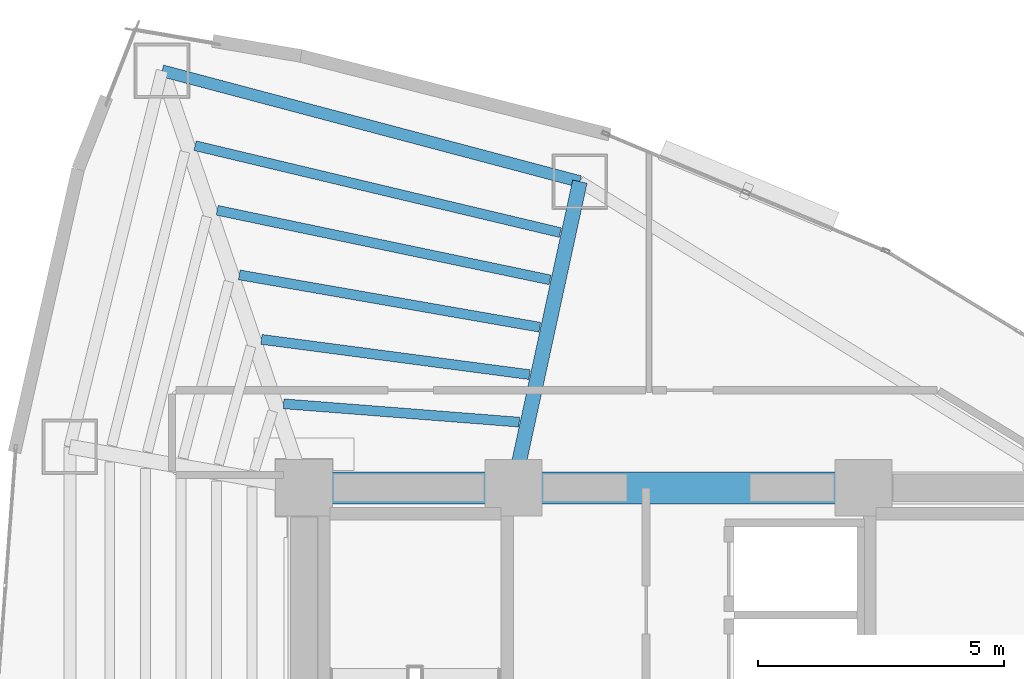
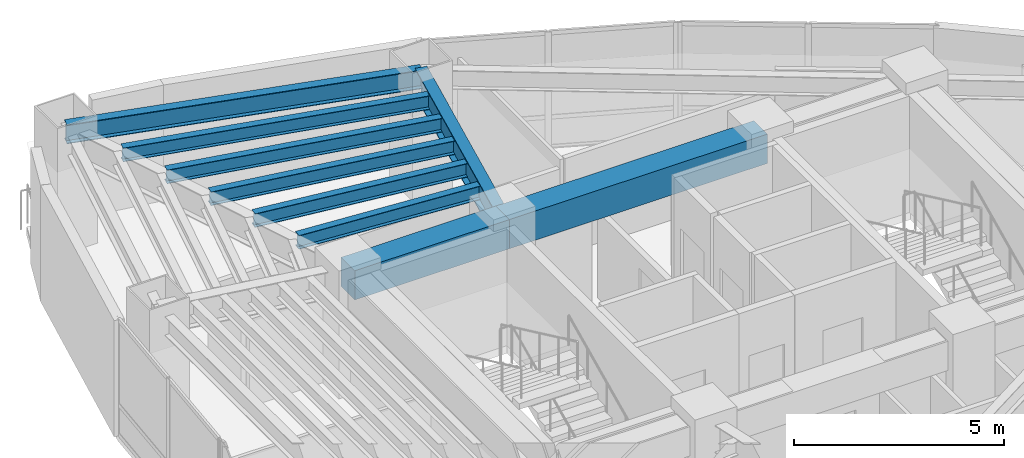
# One storey, part 8 of 15: 9 beams.
"""IFC4 building model written with IfcOpenShell, lengths in metres."""

import ifcopenshell
import ifcopenshell.guid

model = None  # the IFC model being written
_history = None  # IfcOwnerHistory: only IFC2X3 demands one
_inside = {}  # id of a spatial element -> (the spatial element, [elements in it])
_under = {}  # id of a project, library or spatial element -> (it, [spatial elements below it])
_declared = {}  # id of a project -> (the project, [libraries it declares])
_typed = {}  # id of a type object -> (the type object, [elements of that type])
_made_of = {}  # id of a material, layer set ... -> (it, [elements and type objects made of it])


def new_model(schema):
    """Start an empty IFC model of exactly this schema.

    Asked for "IFC4X3", IfcOpenShell would pick the latest addendum, in which some entities
    have other attributes; the version numbers below select the first issue.
    IFC2X3 requires an IfcOwnerHistory on every rooted entity: one is made here for all.
    """
    global model, _history
    if schema == "IFC4X3":
        model = ifcopenshell.file(schema_version=(4, 3, 0, 0))
    else:
        model = ifcopenshell.file(schema=schema)
    _inside.clear()
    _under.clear()
    _declared.clear()
    _typed.clear()
    _made_of.clear()
    _history = None
    if model.schema == "IFC2X3":
        org = make("IfcOrganization", Name="unknown")
        user = make(
            "IfcPersonAndOrganization",
            ThePerson=make("IfcPerson", FamilyName="unknown"),
            TheOrganization=org,
        )
        app = make(
            "IfcApplication",
            ApplicationDeveloper=org,
            Version="unknown",
            ApplicationFullName="unknown",
            ApplicationIdentifier="unknown",
        )
        _history = make(
            "IfcOwnerHistory",
            OwningUser=user,
            OwningApplication=app,
            ChangeAction="ADDED",
            CreationDate=0,
        )
    return model


def make(cls, **values):
    """One entity of the class cls with the attributes given. An attribute that is None is left unset."""
    return model.create_entity(
        cls, **{name: value for name, value in values.items() if value is not None}
    )


def rooted(cls, **values):
    """An entity with a GlobalId (a new one), such as an element, a storey or a relation."""
    return make(cls, GlobalId=ifcopenshell.guid.new(), OwnerHistory=_history, **values)


def si_unit(unit_type, name, prefix=None):
    """IfcSIUnit, for example si_unit("LENGTHUNIT", "METRE", prefix="MILLI")."""
    return make("IfcSIUnit", UnitType=unit_type, Prefix=prefix, Name=name)


def assignment(units):
    """IfcUnitAssignment: the units of a project."""
    return None if units is None else make("IfcUnitAssignment", Units=units)


def point(xyz):
    """IfcCartesianPoint."""
    return None if xyz is None else make("IfcCartesianPoint", Coordinates=xyz)


def direction(xyz):
    """IfcDirection."""
    return None if xyz is None else make("IfcDirection", DirectionRatios=xyz)


def frame(location, z_axis=None, x_axis=None):
    """IfcAxis2Placement3D, a coordinate frame: its origin and axes. An axis left out is left unset."""
    return make(
        "IfcAxis2Placement3D",
        Location=point(location),
        Axis=direction(z_axis),
        RefDirection=direction(x_axis),
    )


def frame_2d(location, x_axis=None):
    """IfcAxis2Placement2D, a coordinate frame in the plane: its origin and x axis."""
    return make(
        "IfcAxis2Placement2D", Location=point(location), RefDirection=direction(x_axis)
    )


def origin():
    """The frame at (0, 0, 0) with its axes left unset."""
    return frame((0.0, 0.0, 0.0))


def origin_2d():
    """The frame at (0, 0) in the plane with its x axis left unset."""
    return frame_2d((0.0, 0.0))


def place(relative_to, where):
    """IfcLocalPlacement: puts the frame where relative to a parent placement (None: the world)."""
    return make(
        "IfcLocalPlacement", PlacementRelTo=relative_to, RelativePlacement=where
    )


def context(
    kind, dimensions, precision=None, world=None, true_north=None, identifier=None
):
    """IfcGeometricRepresentationContext, for example the 3D "Model" context."""
    return make(
        "IfcGeometricRepresentationContext",
        ContextIdentifier=identifier,
        ContextType=kind,
        CoordinateSpaceDimension=dimensions,
        Precision=precision,
        WorldCoordinateSystem=world,
        TrueNorth=true_north,
    )


def subcontext(parent, identifier, kind, view, scale=None):
    """IfcGeometricRepresentationSubContext, for example "Body" below "Model"."""
    return make(
        "IfcGeometricRepresentationSubContext",
        ContextIdentifier=identifier,
        ContextType=kind,
        ParentContext=parent,
        TargetScale=scale,
        TargetView=view,
    )


def project(units=None, contexts=None):
    """IfcProject with its units and contexts."""
    return rooted(
        "IfcProject",
        Name="project",
        RepresentationContexts=contexts,
        UnitsInContext=assignment(units),
    )


def spatial(cls, under=None, at=None, **own):
    """A site, building, storey or space (cls), placed at a placement, below another one or the project."""
    s = rooted(cls, ObjectPlacement=at, **own)
    if under is not None:
        _under.setdefault(under.id(), (under, []))[1].append(s)
    return s


def profile(cls, at=None, kind="AREA", **sizes):
    """A parametric profile (cls). Its sizes go by their IFC names, for example OverallWidth=200.0."""
    return make(cls, ProfileType=kind, Position=at, **sizes)


def rectangle(**sizes):
    """IfcRectangleProfileDef."""
    return profile("IfcRectangleProfileDef", **sizes)


def i_section(**sizes):
    """IfcIShapeProfileDef."""
    return profile("IfcIShapeProfileDef", **sizes)


def extrude(swept, where, along, depth):
    """IfcExtrudedAreaSolid: the profile swept, set in the frame where, extruded along a direction by depth."""
    return make(
        "IfcExtrudedAreaSolid",
        SweptArea=swept,
        Position=where,
        ExtrudedDirection=direction(along),
        Depth=depth,
    )


def shape(context_of_items, identifier, shape_type, items):
    """IfcShapeRepresentation: the items that make up one representation, for example the "Body"."""
    return make(
        "IfcShapeRepresentation",
        ContextOfItems=context_of_items,
        RepresentationIdentifier=identifier,
        RepresentationType=shape_type,
        Items=items,
    )


def material(Name=None, Category=None):
    """IfcMaterial."""
    return make("IfcMaterial", Name=Name, Category=Category)


def material_profile(
    of_material, cross_section, Name=None, Category=None, Priority=None
):
    """IfcMaterialProfile: a cross section and its material."""
    return make(
        "IfcMaterialProfile",
        Name=Name,
        Material=of_material,
        Profile=cross_section,
        Priority=Priority,
        Category=Category,
    )


def profile_set(profiles, Name=None, composite=None):
    """IfcMaterialProfileSet."""
    return make(
        "IfcMaterialProfileSet",
        Name=Name,
        MaterialProfiles=profiles,
        CompositeProfile=composite,
    )


def made_of(thing, what):
    """Note that an element or type object is made of a material, layer set ...; save() writes the relation."""
    if what is not None:
        _made_of.setdefault(what.id(), (what, []))[1].append(thing)
    return thing


def type_object(cls, material=None, **own):
    """A type object (cls), such as IfcWallType, which elements share."""
    return made_of(rooted(cls, **own), material)


def element(
    cls,
    number,
    at=None,
    inside=None,
    cuts=None,
    type_object=None,
    material=None,
    context=None,
    identifier="Body",
    shape_type=None,
    held_by="IfcProductDefinitionShape",
    body=None,
    shapes=None,
    **own,
):
    """One element of the class cls, such as IfcWall. Its Tag is "e" and its number.

    at: its placement. inside: the storey or other place that contains it. cuts: it is an
    opening in that element (IfcRelVoidsElement). A single representation is given by context,
    identifier, shape_type and body (its items); several are given by shapes. held_by: the class
    of the entity that holds the representations. save() writes the other relations.
    """
    e = rooted(cls, Tag="e%d" % number, ObjectPlacement=at, **own)
    if body is not None:
        shapes = [shape(context, identifier, shape_type, body)]
    if shapes is not None:
        e.Representation = make(held_by, Representations=shapes)
    if inside is not None:
        _inside.setdefault(inside.id(), (inside, []))[1].append(e)
    if cuts is not None:
        rooted(
            "IfcRelVoidsElement", RelatingBuildingElement=cuts, RelatedOpeningElement=e
        )
    if type_object is not None:
        _typed.setdefault(type_object.id(), (type_object, []))[1].append(e)
    return made_of(e, material)


def aggregate(whole, parts):
    """IfcRelAggregates: a whole, such as a stair, and the parts it consists of."""
    return rooted("IfcRelAggregates", RelatingObject=whole, RelatedObjects=parts)


def save(model, path):
    """Write the relations noted so far, then the file.

    IfcRelAggregates (storeys below a building ...), IfcRelContainedInSpatialStructure (elements
    in a storey), IfcRelDefinesByType, IfcRelAssociatesMaterial and IfcRelDeclares: one each for
    every whole, place, type object, material and project.
    """
    for whole, parts in _under.values():
        aggregate(whole, parts)
    for where, things in _inside.values():
        rooted(
            "IfcRelContainedInSpatialStructure",
            RelatedElements=things,
            RelatingStructure=where,
        )
    for kind, things in _typed.values():
        rooted("IfcRelDefinesByType", RelatedObjects=things, RelatingType=kind)
    for what, things in _made_of.values():
        rooted("IfcRelAssociatesMaterial", RelatedObjects=things, RelatingMaterial=what)
    for by, libraries in _declared.values():
        rooted("IfcRelDeclares", RelatingContext=by, RelatedDefinitions=libraries)
    model.write(path)


model = new_model("IFC4")

# Units and contexts
model_context = context("Model", 3, precision=1e-05, world=origin(), true_north=direction((0.0, 1.0)))
body_context = subcontext(model_context, "Body", "Model", "MODEL_VIEW")
ifc_project = project(units=[si_unit("LENGTHUNIT", "METRE"), si_unit("AREAUNIT", "SQUARE_METRE"), si_unit("VOLUMEUNIT", "CUBIC_METRE"), si_unit("PLANEANGLEUNIT", "RADIAN"), si_unit("MASSUNIT", "GRAM", prefix="KILO")], contexts=[model_context])

# Site, building, storey
site_placement = place(None, origin())
site = spatial("IfcSite", under=ifc_project, at=site_placement, CompositionType="ELEMENT")
building_placement = place(site_placement, origin())
building = spatial("IfcBuilding", under=site, at=building_placement, Name="Menara Vayukalpa", CompositionType="ELEMENT")
storey_placement = place(building_placement, frame((0.0, 0.0, 144.89990234375)))
storey = spatial("IfcBuildingStorey", under=building, at=storey_placement, Name="L36", CompositionType="ELEMENT", Elevation=144.89990234375)

# Beams
ifc_material_1 = material(Name="Concrete C60/75", Category="concrete")
ifc_material_profile_1 = material_profile(ifc_material_1, rectangle(XDim=0.64990234375, YDim=0.85009765625, at=origin_2d()), Name="RC 650x850")
ifc_profile_set_1 = profile_set([ifc_material_profile_1], Name="Concrete C60/75")
beam_type_1 = type_object("IfcBeamType", Name="BM-CB1", PredefinedType="BEAM", material=ifc_profile_set_1)
beam_1_placement = place(storey_placement, frame((17.800048828125, 26.800048828125, 2.955078125), z_axis=(1.0, 0.0, 0.0), x_axis=(0.0, 1.0, 0.0)))
element("IfcBeam", 1, at=beam_1_placement, inside=storey, type_object=beam_type_1, Name="L36 Core Tie Beam CBR4", PredefinedType="BEAM", context=body_context, shape_type="SweptSolid", body=[
    extrude(rectangle(XDim=0.64990234375, YDim=0.85009765625, at=origin_2d()), origin(), (0.0, 0.0, 1.0), 4.25),
])
beam_2_placement = place(storey_placement, frame((22.050048828125, 26.800048828125, 2.955078125), z_axis=(1.0, 0.0, 0.0), x_axis=(0.0, 1.0, 0.0)))
element("IfcBeam", 2, at=beam_2_placement, inside=storey, type_object=beam_type_1, Name="L36 Core Tie Beam CBR5", PredefinedType="BEAM", context=body_context, shape_type="SweptSolid", body=[
    extrude(rectangle(XDim=0.64990234375, YDim=0.85009765625, at=origin_2d()), origin(), (0.0, 0.0, 1.0), 7.099853515625),
])
ifc_material_2 = material(Name="Steel S355", Category="steel")
ifc_material_profile_2 = material_profile(ifc_material_2, i_section(OverallWidth=0.300048828125, OverallDepth=0.800048828125, WebThickness=0.013916015625, FlangeThickness=0.02587890625, at=origin_2d()), Name="WF 800x300x14x26")
ifc_profile_set_2 = profile_set([ifc_material_profile_2], Name="Steel S355")
beam_type_2 = type_object("IfcBeamType", Name="BM-PG3", PredefinedType="BEAM", material=ifc_profile_set_2)
beam_3_placement = place(storey_placement, frame((22.10302734375, 27.044189453125, 2.97998046875), z_axis=(0.211898459532, 0.9772916877, 0.0), x_axis=(-0.9772916877, 0.211898459532, 0.0)))
element("IfcBeam", 3, at=beam_3_placement, inside=storey, type_object=beam_type_2, Name="L36 Primary Radial Girder RG03", PredefinedType="BEAM", context=body_context, shape_type="SweptSolid", body=[
    extrude(i_section(OverallWidth=0.300048828125, OverallDepth=0.800048828125, WebThickness=0.013916015625, FlangeThickness=0.02587890625, at=origin_2d()), origin(), (0.0, 0.0, 1.0), 6.1064453125),
])
ifc_material_3 = material(Name="Steel S355", Category="steel")
ifc_material_profile_3 = material_profile(ifc_material_3, i_section(OverallWidth=0.199951171875, OverallDepth=0.39990234375, WebThickness=0.008056640625, FlangeThickness=0.012939453125, at=origin_2d()), Name="WF 400x200x8x13")
ifc_profile_set_3 = profile_set([ifc_material_profile_3], Name="Steel S355")
beam_type_3 = type_object("IfcBeamType", Name="BM-SJ2", PredefinedType="JOIST", material=ifc_profile_set_3)
beam_4_placement = place(storey_placement, frame((22.16650390625, 28.131591796875, 3.18017578125), z_axis=(-0.99698187454, 0.07763466905, 0.0), x_axis=(-0.07763466905, -0.99698187454, 0.0)))
element("IfcBeam", 4, at=beam_4_placement, inside=storey, type_object=beam_type_3, Name="L36 Secondary Floor Joist SJ03-1", PredefinedType="JOIST", context=body_context, shape_type="SweptSolid", body=[
    extrude(i_section(OverallWidth=0.199951171875, OverallDepth=0.39990234375, WebThickness=0.008056640625, FlangeThickness=0.012939453125, at=origin_2d()), origin(), (0.0, 0.0, 1.0), 4.795654296875),
])
beam_5_placement = place(storey_placement, frame((22.37451171875, 29.095458984375, 3.18017578125), z_axis=(-0.991465351363, 0.130370460792, 0.0), x_axis=(-0.130370460792, -0.991465351363, 0.0)))
element("IfcBeam", 5, at=beam_5_placement, inside=storey, type_object=beam_type_3, Name="L36 Secondary Floor Joist SJ03-2", PredefinedType="JOIST", context=body_context, shape_type="SweptSolid", body=[
    extrude(i_section(OverallWidth=0.199951171875, OverallDepth=0.39990234375, WebThickness=0.008056640625, FlangeThickness=0.012939453125, at=origin_2d()), origin(), (0.0, 0.0, 1.0), 5.485107421875),
])
beam_6_placement = place(storey_placement, frame((22.58251953125, 30.057373046875, 3.18017578125), z_axis=(-0.98515667511, 0.171657582084, 0.0), x_axis=(-0.171657582084, -0.98515667511, 0.0)))
element("IfcBeam", 6, at=beam_6_placement, inside=storey, type_object=beam_type_3, Name="L36 Secondary Floor Joist SJ03-3", PredefinedType="JOIST", context=body_context, shape_type="SweptSolid", body=[
    extrude(i_section(OverallWidth=0.199951171875, OverallDepth=0.39990234375, WebThickness=0.008056640625, FlangeThickness=0.012939453125, at=origin_2d()), origin(), (0.0, 0.0, 1.0), 6.186767578125),
])
beam_7_placement = place(storey_placement, frame((22.79052734375, 31.017822265625, 3.18017578125), z_axis=(-0.978829393328, 0.204677841395, 0.0), x_axis=(-0.204677841395, -0.978829393328, 0.0)))
element("IfcBeam", 7, at=beam_7_placement, inside=storey, type_object=beam_type_3, Name="L36 Secondary Floor Joist SJ03-4", PredefinedType="JOIST", context=body_context, shape_type="SweptSolid", body=[
    extrude(i_section(OverallWidth=0.199951171875, OverallDepth=0.39990234375, WebThickness=0.008056640625, FlangeThickness=0.012939453125, at=origin_2d()), origin(), (0.0, 0.0, 1.0), 6.89794921875),
])
beam_8_placement = place(storey_placement, frame((22.99853515625, 31.977294921875, 3.18017578125), z_axis=(-0.972824097487, 0.231545406668, 0.0), x_axis=(-0.231545406668, -0.972824097487, 0.0)))
element("IfcBeam", 8, at=beam_8_placement, inside=storey, type_object=beam_type_3, Name="L36 Secondary Floor Joist SJ03-5", PredefinedType="JOIST", context=body_context, shape_type="SweptSolid", body=[
    extrude(i_section(OverallWidth=0.199951171875, OverallDepth=0.39990234375, WebThickness=0.008056640625, FlangeThickness=0.012939453125, at=origin_2d()), origin(), (0.0, 0.0, 1.0), 7.615966796875),
])
ifc_material_4 = material(Name="Steel S355", Category="steel")
ifc_material_profile_4 = material_profile(ifc_material_4, i_section(OverallWidth=0.239990234375, OverallDepth=0.550048828125, WebThickness=0.010986328125, FlangeThickness=0.01904296875, at=origin_2d()), Name="WF 550x240x11x19")
ifc_profile_set_4 = profile_set([ifc_material_profile_4], Name="Steel S355")
beam_type_4 = type_object("IfcBeamType", Name="BM-SP2", PredefinedType="SPANDREL", material=ifc_profile_set_4)
beam_9_placement = place(storey_placement, frame((23.39697265625, 33.011962890625, 3.10498046875), z_axis=(-0.96657141455, 0.256397544009, 0.0), x_axis=(-0.256397544009, -0.96657141455, 0.0)))
element("IfcBeam", 9, at=beam_9_placement, inside=storey, type_object=beam_type_4, Name="L36 Perimeter Spandrel Beam SP03", PredefinedType="SPANDREL", context=body_context, shape_type="SweptSolid", body=[
    extrude(i_section(OverallWidth=0.239990234375, OverallDepth=0.550048828125, WebThickness=0.010986328125, FlangeThickness=0.01904296875, at=origin_2d()), origin(), (0.0, 0.0, 1.0), 8.769775390625),
])

save(model, "model.ifc")
